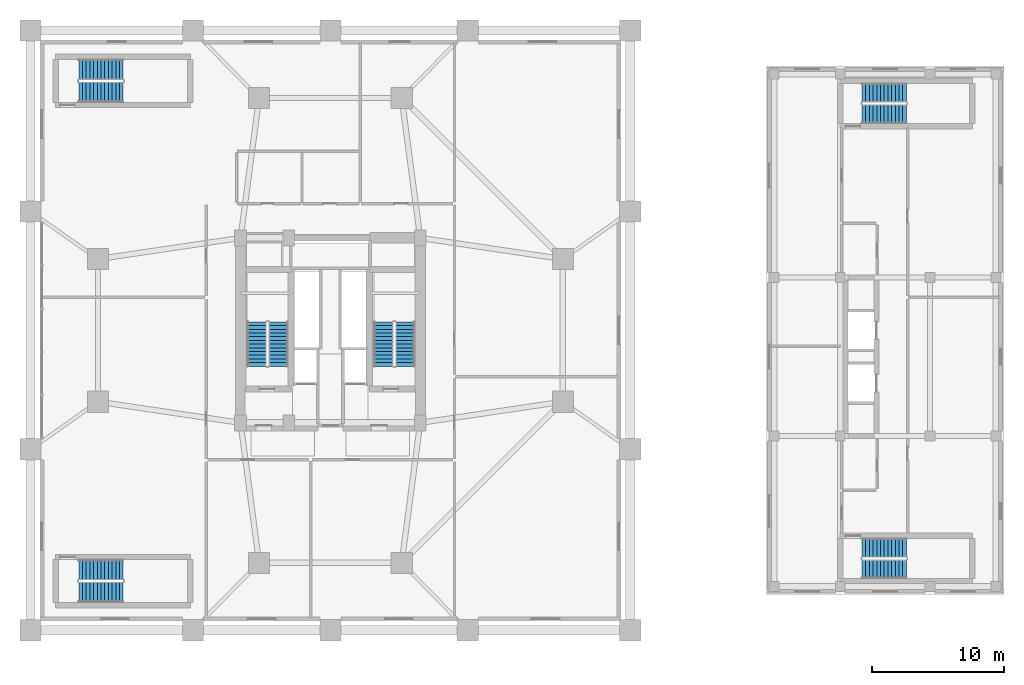
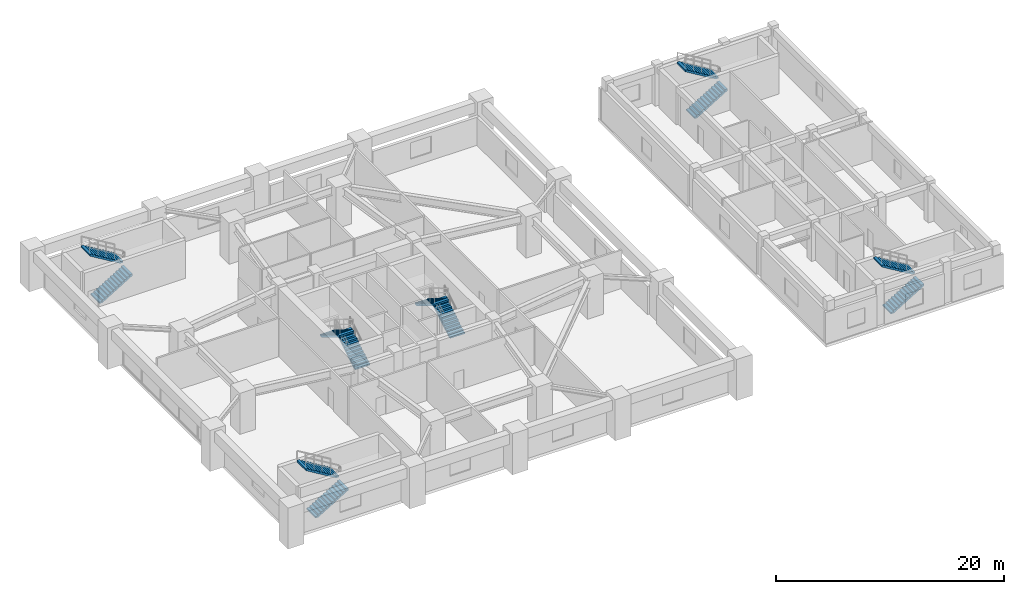
# One storey, part 12 of 16: 12 stair flights, 6 elements without a shape of their own.
"""IFC4 building model written with IfcOpenShell, lengths in metres."""

from ifc_helpers import new_model, si_unit, direction, frame, origin, place, context, subcontext, project, spatial, polyline, outline, extrude, material, type_object, element, aggregate, save


model = new_model("IFC4")

# Units and contexts
model_context = context("Model", 3, precision=1e-05, world=origin(), true_north=direction((0.0, 1.0)))
body_context = subcontext(model_context, "Body", "Model", "MODEL_VIEW")
ifc_project = project(units=[si_unit("LENGTHUNIT", "METRE"), si_unit("AREAUNIT", "SQUARE_METRE"), si_unit("VOLUMEUNIT", "CUBIC_METRE"), si_unit("PLANEANGLEUNIT", "RADIAN"), si_unit("MASSUNIT", "GRAM", prefix="KILO")], contexts=[model_context])

# Site, building, storey
site_placement = place(None, origin())
site = spatial("IfcSite", under=ifc_project, at=site_placement, CompositionType="ELEMENT")
building_placement = place(site_placement, origin())
building = spatial("IfcBuilding", under=site, at=building_placement, Name="Veraguas Prism Commons", CompositionType="ELEMENT")
storey_placement = place(building_placement, frame((0.0, 0.0, 14.0)))
storey = spatial("IfcBuildingStorey", under=building, at=storey_placement, Name="L03", CompositionType="ELEMENT", Elevation=14.0)

# Stair, stair flights
ifc_material = material(Name="Precast concrete C45/55", Category="concrete")
stair_type_1 = type_object("IfcStairType", Name="Dogleg Core Stair 1450W 26R 14", PredefinedType="HALF_TURN_STAIR", material=ifc_material)
stair_1_placement = place(storey_placement, origin())
stair_1 = element("IfcStair", 1, at=stair_1_placement, inside=storey, type_object=stair_type_1, Name="Protected Exit Stair ST-H1 L03", PredefinedType="HALF_TURN_STAIR")
stair_flight_type_1 = type_object("IfcStairFlightType", Name="Precast Stair Flight 1450W 13R 14", PredefinedType="STRAIGHT", material=ifc_material)
stair_flight_1_placement = place(storey_placement, frame((64.25, 5.925048828125, 0.0), z_axis=(0.0, 0.0, 1.0), x_axis=(1.0, 0.0, 0.0)))
stair_flight_1 = element("IfcStairFlight", 2, at=stair_flight_1_placement, type_object=stair_flight_type_1, Name="ST-14 Flight 1", NumberOfRisers=13, NumberOfTreads=12, PredefinedType="STRAIGHT", RiserHeight=0.169230769, TreadLength=0.28, context=body_context, shape_type="SweptSolid", body=[
    extrude(outline(polyline([(0.0, 0.0), (0.0, 0.169189453125), (0.280029296875, 0.169189453125), (0.280029296875, 0.33837890625), (0.56005859375, 0.33837890625), (0.56005859375, 0.5078125), (0.840087890625, 0.5078125), (0.840087890625, 0.677001953125), (1.1201171875, 0.677001953125), (1.1201171875, 0.84619140625), (1.39990234375, 0.84619140625), (1.39990234375, 1.015380859375), (1.679931640625, 1.015380859375), (1.679931640625, 1.1845703125), (1.9599609375, 1.1845703125), (1.9599609375, 1.353759765625), (2.239990234375, 1.353759765625), (2.239990234375, 1.523193359375), (2.52001953125, 1.523193359375), (2.52001953125, 1.6923828125), (2.800048828125, 1.6923828125), (2.800048828125, 1.861572265625), (3.080078125, 1.861572265625), (3.080078125, 2.03076171875), (3.360107421875, 2.03076171875), (3.360107421875, 2.199951171875), (3.360107421875, 1.855712890625), (0.289794921875, 0.0), (0.0, 0.0)])), frame((0.0, 0.72509765625, 0.0), z_axis=(0.0, -1.0, 0.0), x_axis=(1.0, 0.0, 0.0)), (0.0, 0.0, 1.0), 1.449951171875),
])
stair_flight_2_placement = place(storey_placement, frame((67.610107421875, 7.52490234375, 2.199951171875), z_axis=(0.0, 0.0, 1.0), x_axis=(-1.0, 0.0, 0.0)))
stair_flight_2 = element("IfcStairFlight", 3, at=stair_flight_2_placement, type_object=stair_flight_type_1, Name="ST-14 Flight 2", NumberOfRisers=13, NumberOfTreads=12, PredefinedType="STRAIGHT", RiserHeight=0.169230769, TreadLength=0.28, context=body_context, shape_type="SweptSolid", body=[
    extrude(outline(polyline([(0.0, 0.0), (0.0, 0.169189453125), (0.280029296875, 0.169189453125), (0.280029296875, 0.33837890625), (0.56005859375, 0.33837890625), (0.56005859375, 0.5078125), (0.840087890625, 0.5078125), (0.840087890625, 0.677001953125), (1.1201171875, 0.677001953125), (1.1201171875, 0.84619140625), (1.39990234375, 0.84619140625), (1.39990234375, 1.015380859375), (1.679931640625, 1.015380859375), (1.679931640625, 1.1845703125), (1.9599609375, 1.1845703125), (1.9599609375, 1.353759765625), (2.239990234375, 1.353759765625), (2.239990234375, 1.523193359375), (2.52001953125, 1.523193359375), (2.52001953125, 1.6923828125), (2.800048828125, 1.6923828125), (2.800048828125, 1.861572265625), (3.080078125, 1.861572265625), (3.080078125, 2.03076171875), (3.360107421875, 2.03076171875), (3.360107421875, 2.199951171875), (3.360107421875, 1.855712890625), (0.289794921875, 0.0), (0.0, 0.0)])), frame((0.0, 0.72509765625, 0.0), z_axis=(0.0, -1.0, 0.0), x_axis=(1.0, 0.0, 0.0)), (0.0, 0.0, 1.0), 1.449951171875),
])
aggregate(stair_1, [stair_flight_1, stair_flight_2])

stair_2_placement = place(storey_placement, origin())
stair_2 = element("IfcStair", 4, at=stair_2_placement, inside=storey, type_object=stair_type_1, Name="Protected Exit Stair ST-H2 L03", PredefinedType="HALF_TURN_STAIR")
stair_flight_3_placement = place(storey_placement, frame((64.25, 40.385009765625, 0.0), z_axis=(0.0, 0.0, 1.0), x_axis=(1.0, 0.0, 0.0)))
stair_flight_3 = element("IfcStairFlight", 5, at=stair_flight_3_placement, type_object=stair_flight_type_1, Name="ST-14 Flight 1", NumberOfRisers=13, NumberOfTreads=12, PredefinedType="STRAIGHT", RiserHeight=0.169230769, TreadLength=0.28, context=body_context, shape_type="SweptSolid", body=[
    extrude(outline(polyline([(0.0, 0.0), (0.0, 0.169189453125), (0.280029296875, 0.169189453125), (0.280029296875, 0.33837890625), (0.56005859375, 0.33837890625), (0.56005859375, 0.5078125), (0.840087890625, 0.5078125), (0.840087890625, 0.677001953125), (1.1201171875, 0.677001953125), (1.1201171875, 0.84619140625), (1.39990234375, 0.84619140625), (1.39990234375, 1.015380859375), (1.679931640625, 1.015380859375), (1.679931640625, 1.1845703125), (1.9599609375, 1.1845703125), (1.9599609375, 1.353759765625), (2.239990234375, 1.353759765625), (2.239990234375, 1.523193359375), (2.52001953125, 1.523193359375), (2.52001953125, 1.6923828125), (2.800048828125, 1.6923828125), (2.800048828125, 1.861572265625), (3.080078125, 1.861572265625), (3.080078125, 2.03076171875), (3.360107421875, 2.03076171875), (3.360107421875, 2.199951171875), (3.360107421875, 1.855712890625), (0.289794921875, 0.0), (0.0, 0.0)])), frame((0.0, 0.72509765625, 0.0), z_axis=(0.0, -1.0, 0.0), x_axis=(1.0, 0.0, 0.0)), (0.0, 0.0, 1.0), 1.449951171875),
])
stair_flight_4_placement = place(storey_placement, frame((67.610107421875, 41.985107421875, 2.199951171875), z_axis=(0.0, 0.0, 1.0), x_axis=(-1.0, 0.0, 0.0)))
stair_flight_4 = element("IfcStairFlight", 6, at=stair_flight_4_placement, type_object=stair_flight_type_1, Name="ST-14 Flight 2", NumberOfRisers=13, NumberOfTreads=12, PredefinedType="STRAIGHT", RiserHeight=0.169230769, TreadLength=0.28, context=body_context, shape_type="SweptSolid", body=[
    extrude(outline(polyline([(0.0, 0.0), (0.0, 0.169189453125), (0.280029296875, 0.169189453125), (0.280029296875, 0.33837890625), (0.56005859375, 0.33837890625), (0.56005859375, 0.5078125), (0.840087890625, 0.5078125), (0.840087890625, 0.677001953125), (1.1201171875, 0.677001953125), (1.1201171875, 0.84619140625), (1.39990234375, 0.84619140625), (1.39990234375, 1.015380859375), (1.679931640625, 1.015380859375), (1.679931640625, 1.1845703125), (1.9599609375, 1.1845703125), (1.9599609375, 1.353759765625), (2.239990234375, 1.353759765625), (2.239990234375, 1.523193359375), (2.52001953125, 1.523193359375), (2.52001953125, 1.6923828125), (2.800048828125, 1.6923828125), (2.800048828125, 1.861572265625), (3.080078125, 1.861572265625), (3.080078125, 2.03076171875), (3.360107421875, 2.03076171875), (3.360107421875, 2.199951171875), (3.360107421875, 1.855712890625), (0.289794921875, 0.0), (0.0, 0.0)])), frame((0.0, 0.72509765625, 0.0), z_axis=(0.0, -1.0, 0.0), x_axis=(1.0, 0.0, 0.0)), (0.0, 0.0, 1.0), 1.449951171875),
])
aggregate(stair_2, [stair_flight_3, stair_flight_4])

stair_type_2 = type_object("IfcStairType", Name="Dogleg Core Stair 1480W 26R 03", PredefinedType="HALF_TURN_STAIR", material=ifc_material)
stair_3_placement = place(storey_placement, origin())
stair_3 = element("IfcStair", 7, at=stair_3_placement, inside=storey, type_object=stair_type_2, Name="Protected Exit Stair ST-01 L03", PredefinedType="HALF_TURN_STAIR")
stair_flight_type_2 = type_object("IfcStairFlightType", Name="Precast Stair Flight 1480W 13R 03", PredefinedType="STRAIGHT", material=ifc_material)
stair_flight_5_placement = place(storey_placement, frame((20.06005859375, 21.280029296875, 0.0), z_axis=(0.0, 0.0, 1.0), x_axis=(0.0, 1.0, 0.0)))
stair_flight_5 = element("IfcStairFlight", 8, at=stair_flight_5_placement, type_object=stair_flight_type_2, Name="ST-03 Flight 1", NumberOfRisers=13, NumberOfTreads=12, PredefinedType="STRAIGHT", RiserHeight=0.169230769, TreadLength=0.28, context=body_context, shape_type="SweptSolid", body=[
    extrude(outline(polyline([(0.0, 0.0), (0.0, 0.169189453125), (0.280029296875, 0.169189453125), (0.280029296875, 0.33837890625), (0.56005859375, 0.33837890625), (0.56005859375, 0.5078125), (0.840087890625, 0.5078125), (0.840087890625, 0.677001953125), (1.1201171875, 0.677001953125), (1.1201171875, 0.84619140625), (1.39990234375, 0.84619140625), (1.39990234375, 1.015380859375), (1.679931640625, 1.015380859375), (1.679931640625, 1.1845703125), (1.9599609375, 1.1845703125), (1.9599609375, 1.353759765625), (2.239990234375, 1.353759765625), (2.239990234375, 1.523193359375), (2.52001953125, 1.523193359375), (2.52001953125, 1.6923828125), (2.800048828125, 1.6923828125), (2.800048828125, 1.861572265625), (3.080078125, 1.861572265625), (3.080078125, 2.03076171875), (3.360107421875, 2.03076171875), (3.360107421875, 2.199951171875), (3.360107421875, 1.855712890625), (0.289794921875, 0.0), (0.0, 0.0)])), frame((0.0, 0.739990234375, 0.0), z_axis=(0.0, -1.0, 0.0), x_axis=(1.0, 0.0, 0.0)), (0.0, 0.0, 1.0), 1.47998046875),
])
stair_flight_6_placement = place(storey_placement, frame((18.429931640625, 24.639892578125, 2.199951171875), z_axis=(0.0, 0.0, 1.0), x_axis=(0.0, -1.0, 0.0)))
stair_flight_6 = element("IfcStairFlight", 9, at=stair_flight_6_placement, type_object=stair_flight_type_2, Name="ST-03 Flight 2", NumberOfRisers=13, NumberOfTreads=12, PredefinedType="STRAIGHT", RiserHeight=0.169230769, TreadLength=0.28, context=body_context, shape_type="SweptSolid", body=[
    extrude(outline(polyline([(0.0, 0.0), (0.0, 0.169189453125), (0.280029296875, 0.169189453125), (0.280029296875, 0.33837890625), (0.56005859375, 0.33837890625), (0.56005859375, 0.5078125), (0.840087890625, 0.5078125), (0.840087890625, 0.677001953125), (1.1201171875, 0.677001953125), (1.1201171875, 0.84619140625), (1.39990234375, 0.84619140625), (1.39990234375, 1.015380859375), (1.679931640625, 1.015380859375), (1.679931640625, 1.1845703125), (1.9599609375, 1.1845703125), (1.9599609375, 1.353759765625), (2.239990234375, 1.353759765625), (2.239990234375, 1.523193359375), (2.52001953125, 1.523193359375), (2.52001953125, 1.6923828125), (2.800048828125, 1.6923828125), (2.800048828125, 1.861572265625), (3.080078125, 1.861572265625), (3.080078125, 2.03076171875), (3.360107421875, 2.03076171875), (3.360107421875, 2.199951171875), (3.360107421875, 1.855712890625), (0.289794921875, 0.0), (0.0, 0.0)])), frame((0.0, 0.739990234375, 0.0), z_axis=(0.0, -1.0, 0.0), x_axis=(1.0, 0.0, 0.0)), (0.0, 0.0, 1.0), 1.47998046875),
])
aggregate(stair_3, [stair_flight_5, stair_flight_6])

stair_4_placement = place(storey_placement, origin())
stair_4 = element("IfcStair", 10, at=stair_4_placement, inside=storey, type_object=stair_type_2, Name="Protected Exit Stair ST-02 L03", PredefinedType="HALF_TURN_STAIR")
stair_flight_7_placement = place(storey_placement, frame((29.659912109375, 21.280029296875, 0.0), z_axis=(0.0, 0.0, 1.0), x_axis=(0.0, 1.0, 0.0)))
stair_flight_7 = element("IfcStairFlight", 11, at=stair_flight_7_placement, type_object=stair_flight_type_2, Name="ST-03 Flight 1", NumberOfRisers=13, NumberOfTreads=12, PredefinedType="STRAIGHT", RiserHeight=0.169230769, TreadLength=0.28, context=body_context, shape_type="SweptSolid", body=[
    extrude(outline(polyline([(0.0, 0.0), (0.0, 0.169189453125), (0.280029296875, 0.169189453125), (0.280029296875, 0.33837890625), (0.56005859375, 0.33837890625), (0.56005859375, 0.5078125), (0.840087890625, 0.5078125), (0.840087890625, 0.677001953125), (1.1201171875, 0.677001953125), (1.1201171875, 0.84619140625), (1.39990234375, 0.84619140625), (1.39990234375, 1.015380859375), (1.679931640625, 1.015380859375), (1.679931640625, 1.1845703125), (1.9599609375, 1.1845703125), (1.9599609375, 1.353759765625), (2.239990234375, 1.353759765625), (2.239990234375, 1.523193359375), (2.52001953125, 1.523193359375), (2.52001953125, 1.6923828125), (2.800048828125, 1.6923828125), (2.800048828125, 1.861572265625), (3.080078125, 1.861572265625), (3.080078125, 2.03076171875), (3.360107421875, 2.03076171875), (3.360107421875, 2.199951171875), (3.360107421875, 1.855712890625), (0.289794921875, 0.0), (0.0, 0.0)])), frame((0.0, 0.739990234375, 0.0), z_axis=(0.0, -1.0, 0.0), x_axis=(1.0, 0.0, 0.0)), (0.0, 0.0, 1.0), 1.47998046875),
])
stair_flight_8_placement = place(storey_placement, frame((28.030029296875, 24.639892578125, 2.199951171875), z_axis=(0.0, 0.0, 1.0), x_axis=(0.0, -1.0, 0.0)))
stair_flight_8 = element("IfcStairFlight", 12, at=stair_flight_8_placement, type_object=stair_flight_type_2, Name="ST-03 Flight 2", NumberOfRisers=13, NumberOfTreads=12, PredefinedType="STRAIGHT", RiserHeight=0.169230769, TreadLength=0.28, context=body_context, shape_type="SweptSolid", body=[
    extrude(outline(polyline([(0.0, 0.0), (0.0, 0.169189453125), (0.280029296875, 0.169189453125), (0.280029296875, 0.33837890625), (0.56005859375, 0.33837890625), (0.56005859375, 0.5078125), (0.840087890625, 0.5078125), (0.840087890625, 0.677001953125), (1.1201171875, 0.677001953125), (1.1201171875, 0.84619140625), (1.39990234375, 0.84619140625), (1.39990234375, 1.015380859375), (1.679931640625, 1.015380859375), (1.679931640625, 1.1845703125), (1.9599609375, 1.1845703125), (1.9599609375, 1.353759765625), (2.239990234375, 1.353759765625), (2.239990234375, 1.523193359375), (2.52001953125, 1.523193359375), (2.52001953125, 1.6923828125), (2.800048828125, 1.6923828125), (2.800048828125, 1.861572265625), (3.080078125, 1.861572265625), (3.080078125, 2.03076171875), (3.360107421875, 2.03076171875), (3.360107421875, 2.199951171875), (3.360107421875, 1.855712890625), (0.289794921875, 0.0), (0.0, 0.0)])), frame((0.0, 0.739990234375, 0.0), z_axis=(0.0, -1.0, 0.0), x_axis=(1.0, 0.0, 0.0)), (0.0, 0.0, 1.0), 1.47998046875),
])
aggregate(stair_4, [stair_flight_7, stair_flight_8])

stair_type_3 = type_object("IfcStairType", Name="Dogleg Core Stair 1550W 26R 11", PredefinedType="HALF_TURN_STAIR", material=ifc_material)
stair_5_placement = place(storey_placement, origin())
stair_5 = element("IfcStair", 13, at=stair_5_placement, inside=storey, type_object=stair_type_3, Name="Protected Exit Stair ST-M1 L03", PredefinedType="HALF_TURN_STAIR")
stair_flight_type_3 = type_object("IfcStairFlightType", Name="Precast Stair Flight 1550W 13R 11", PredefinedType="STRAIGHT", material=ifc_material)
stair_flight_9_placement = place(storey_placement, frame((4.949951171875, 4.175048828125, 0.0), z_axis=(0.0, 0.0, 1.0), x_axis=(1.0, 0.0, 0.0)))
stair_flight_9 = element("IfcStairFlight", 14, at=stair_flight_9_placement, type_object=stair_flight_type_3, Name="ST-11 Flight 1", NumberOfRisers=13, NumberOfTreads=12, PredefinedType="STRAIGHT", RiserHeight=0.169230769, TreadLength=0.28, context=body_context, shape_type="SweptSolid", body=[
    extrude(outline(polyline([(0.0, 0.0), (0.0, 0.169189453125), (0.280029296875, 0.169189453125), (0.280029296875, 0.33837890625), (0.56005859375, 0.33837890625), (0.56005859375, 0.5078125), (0.840087890625, 0.5078125), (0.840087890625, 0.677001953125), (1.1201171875, 0.677001953125), (1.1201171875, 0.84619140625), (1.39990234375, 0.84619140625), (1.39990234375, 1.015380859375), (1.679931640625, 1.015380859375), (1.679931640625, 1.1845703125), (1.9599609375, 1.1845703125), (1.9599609375, 1.353759765625), (2.239990234375, 1.353759765625), (2.239990234375, 1.523193359375), (2.52001953125, 1.523193359375), (2.52001953125, 1.6923828125), (2.800048828125, 1.6923828125), (2.800048828125, 1.861572265625), (3.080078125, 1.861572265625), (3.080078125, 2.03076171875), (3.360107421875, 2.03076171875), (3.360107421875, 2.199951171875), (3.360107421875, 1.855712890625), (0.289794921875, 0.0), (0.0, 0.0)])), frame((0.0, 0.77490234375, 0.0), z_axis=(0.0, -1.0, 0.0), x_axis=(1.0, 0.0, 0.0)), (0.0, 0.0, 1.0), 1.550048828125),
])
stair_flight_10_placement = place(storey_placement, frame((8.31005859375, 5.875, 2.199951171875), z_axis=(0.0, 0.0, 1.0), x_axis=(-1.0, 0.0, 0.0)))
stair_flight_10 = element("IfcStairFlight", 15, at=stair_flight_10_placement, type_object=stair_flight_type_3, Name="ST-11 Flight 2", NumberOfRisers=13, NumberOfTreads=12, PredefinedType="STRAIGHT", RiserHeight=0.169230769, TreadLength=0.28, context=body_context, shape_type="SweptSolid", body=[
    extrude(outline(polyline([(0.0, 0.0), (0.0, 0.169189453125), (0.280029296875, 0.169189453125), (0.280029296875, 0.33837890625), (0.56005859375, 0.33837890625), (0.56005859375, 0.5078125), (0.840087890625, 0.5078125), (0.840087890625, 0.677001953125), (1.1201171875, 0.677001953125), (1.1201171875, 0.84619140625), (1.39990234375, 0.84619140625), (1.39990234375, 1.015380859375), (1.679931640625, 1.015380859375), (1.679931640625, 1.1845703125), (1.9599609375, 1.1845703125), (1.9599609375, 1.353759765625), (2.239990234375, 1.353759765625), (2.239990234375, 1.523193359375), (2.52001953125, 1.523193359375), (2.52001953125, 1.6923828125), (2.800048828125, 1.6923828125), (2.800048828125, 1.861572265625), (3.080078125, 1.861572265625), (3.080078125, 2.03076171875), (3.360107421875, 2.03076171875), (3.360107421875, 2.199951171875), (3.360107421875, 1.855712890625), (0.289794921875, 0.0), (0.0, 0.0)])), frame((0.0, 0.77490234375, 0.0), z_axis=(0.0, -1.0, 0.0), x_axis=(1.0, 0.0, 0.0)), (0.0, 0.0, 1.0), 1.550048828125),
])
aggregate(stair_5, [stair_flight_9, stair_flight_10])

stair_6_placement = place(storey_placement, origin())
stair_6 = element("IfcStair", 16, at=stair_6_placement, inside=storey, type_object=stair_type_3, Name="Protected Exit Stair ST-M2 L03", PredefinedType="HALF_TURN_STAIR")
stair_flight_11_placement = place(storey_placement, frame((4.949951171875, 42.034912109375, 0.0), z_axis=(0.0, 0.0, 1.0), x_axis=(1.0, 0.0, 0.0)))
stair_flight_11 = element("IfcStairFlight", 17, at=stair_flight_11_placement, type_object=stair_flight_type_3, Name="ST-11 Flight 1", NumberOfRisers=13, NumberOfTreads=12, PredefinedType="STRAIGHT", RiserHeight=0.169230769, TreadLength=0.28, context=body_context, shape_type="SweptSolid", body=[
    extrude(outline(polyline([(0.0, 0.0), (0.0, 0.169189453125), (0.280029296875, 0.169189453125), (0.280029296875, 0.33837890625), (0.56005859375, 0.33837890625), (0.56005859375, 0.5078125), (0.840087890625, 0.5078125), (0.840087890625, 0.677001953125), (1.1201171875, 0.677001953125), (1.1201171875, 0.84619140625), (1.39990234375, 0.84619140625), (1.39990234375, 1.015380859375), (1.679931640625, 1.015380859375), (1.679931640625, 1.1845703125), (1.9599609375, 1.1845703125), (1.9599609375, 1.353759765625), (2.239990234375, 1.353759765625), (2.239990234375, 1.523193359375), (2.52001953125, 1.523193359375), (2.52001953125, 1.6923828125), (2.800048828125, 1.6923828125), (2.800048828125, 1.861572265625), (3.080078125, 1.861572265625), (3.080078125, 2.03076171875), (3.360107421875, 2.03076171875), (3.360107421875, 2.199951171875), (3.360107421875, 1.855712890625), (0.289794921875, 0.0), (0.0, 0.0)])), frame((0.0, 0.77490234375, 0.0), z_axis=(0.0, -1.0, 0.0), x_axis=(1.0, 0.0, 0.0)), (0.0, 0.0, 1.0), 1.550048828125),
])
stair_flight_12_placement = place(storey_placement, frame((8.31005859375, 43.735107421875, 2.199951171875), z_axis=(0.0, 0.0, 1.0), x_axis=(-1.0, 0.0, 0.0)))
stair_flight_12 = element("IfcStairFlight", 18, at=stair_flight_12_placement, type_object=stair_flight_type_3, Name="ST-11 Flight 2", NumberOfRisers=13, NumberOfTreads=12, PredefinedType="STRAIGHT", RiserHeight=0.169230769, TreadLength=0.28, context=body_context, shape_type="SweptSolid", body=[
    extrude(outline(polyline([(0.0, 0.0), (0.0, 0.169189453125), (0.280029296875, 0.169189453125), (0.280029296875, 0.33837890625), (0.56005859375, 0.33837890625), (0.56005859375, 0.5078125), (0.840087890625, 0.5078125), (0.840087890625, 0.677001953125), (1.1201171875, 0.677001953125), (1.1201171875, 0.84619140625), (1.39990234375, 0.84619140625), (1.39990234375, 1.015380859375), (1.679931640625, 1.015380859375), (1.679931640625, 1.1845703125), (1.9599609375, 1.1845703125), (1.9599609375, 1.353759765625), (2.239990234375, 1.353759765625), (2.239990234375, 1.523193359375), (2.52001953125, 1.523193359375), (2.52001953125, 1.6923828125), (2.800048828125, 1.6923828125), (2.800048828125, 1.861572265625), (3.080078125, 1.861572265625), (3.080078125, 2.03076171875), (3.360107421875, 2.03076171875), (3.360107421875, 2.199951171875), (3.360107421875, 1.855712890625), (0.289794921875, 0.0), (0.0, 0.0)])), frame((0.0, 0.77490234375, 0.0), z_axis=(0.0, -1.0, 0.0), x_axis=(1.0, 0.0, 0.0)), (0.0, 0.0, 1.0), 1.550048828125),
])
aggregate(stair_6, [stair_flight_11, stair_flight_12])

save(model, "model.ifc")
